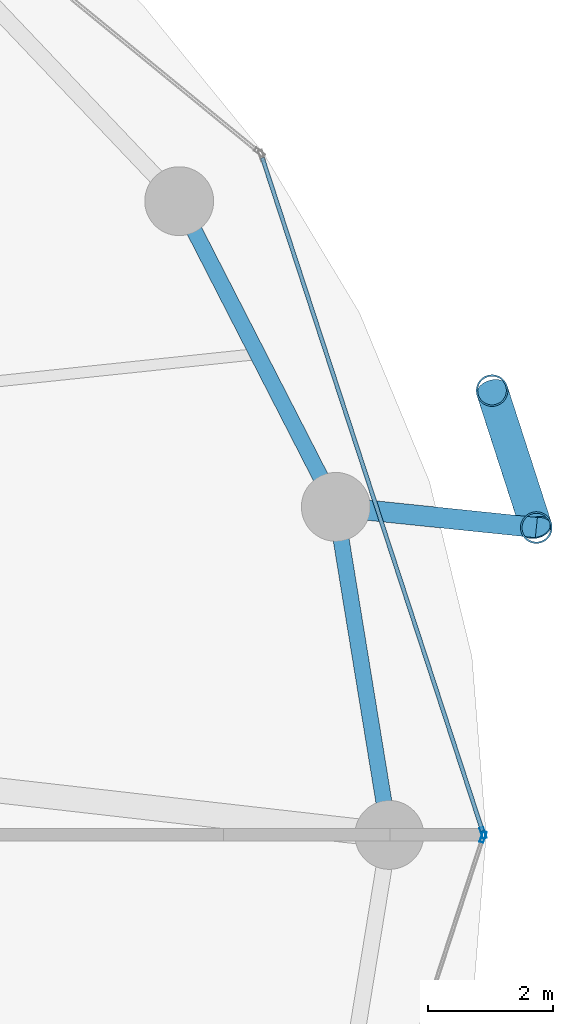
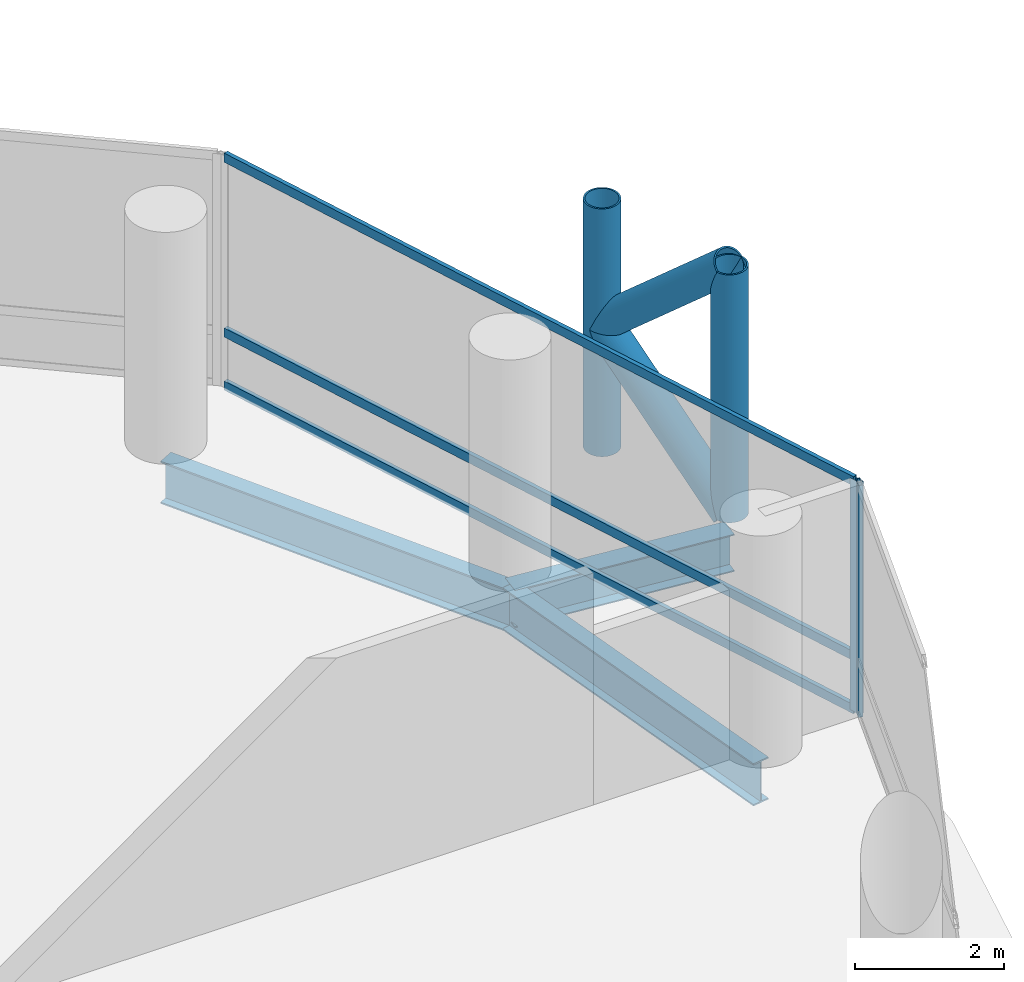
# One storey, part 12 of 24: 9 members, 3 beams, 2 elements without a shape of their own.
"""IFC4 building model written with IfcOpenShell, lengths in metres."""

from ifc_helpers import new_model, si_unit, direction, frame, origin, origin_2d, place, context, subcontext, project, spatial, hollow_rectangle, hollow_circle, i_section, extrude, material, layer, layer_set, material_profile, profile_set, type_object, element, aggregate, save


model = new_model("IFC4")

# Units and contexts
model_context = context("Model", 3, precision=1e-05, world=origin(), true_north=direction((0.0, 1.0)))
body_context = subcontext(model_context, "Body", "Model", "MODEL_VIEW")
ifc_project = project(units=[si_unit("LENGTHUNIT", "METRE"), si_unit("AREAUNIT", "SQUARE_METRE"), si_unit("VOLUMEUNIT", "CUBIC_METRE"), si_unit("PLANEANGLEUNIT", "RADIAN"), si_unit("MASSUNIT", "GRAM", prefix="KILO")], contexts=[model_context])

# Site, building, storey
site_placement = place(None, origin())
site = spatial("IfcSite", under=ifc_project, at=site_placement, CompositionType="ELEMENT")
building_placement = place(site_placement, origin())
building = spatial("IfcBuilding", under=site, at=building_placement, Name="Nuhasar Tower", CompositionType="ELEMENT")
storey_placement = place(building_placement, frame((0.0, 0.0, 29.10009765625)))
storey = spatial("IfcBuildingStorey", under=building, at=storey_placement, Name="L06", CompositionType="ELEMENT", Elevation=29.10009765625)

# Beams
ifc_material_1 = material(Name="Steel S355", Category="steel")
ifc_material_profile_1 = material_profile(ifc_material_1, i_section(OverallWidth=0.256103515625, OverallDepth=0.693115234375, WebThickness=0.014404296875, FlangeThickness=0.023681640625, at=origin_2d()), Name="W27X114")
ifc_profile_set_1 = profile_set([ifc_material_profile_1], Name="Steel S355")
beam_type_1 = type_object("IfcBeamType", Name="BM-RING-W27X114", PredefinedType="SPANDREL", material=ifc_profile_set_1)
beam_1_placement = place(storey_placement, frame((64.050048828125, 26.800048828125, -0.606201171875), z_axis=(-0.160826635486, 0.986982671235, 0.0), x_axis=(-0.986982671235, -0.160826635486, 0.0)))
element("IfcBeam", 1, at=beam_1_placement, inside=storey, type_object=beam_type_1, Name="L06 Perimeter Ring Spandrel 01", PredefinedType="SPANDREL", context=body_context, shape_type="SweptSolid", body=[
    extrude(i_section(OverallWidth=0.256103515625, OverallDepth=0.693115234375, WebThickness=0.014404296875, FlangeThickness=0.023681640625, at=origin_2d()), origin(), (0.0, 0.0, 1.0), 5.31005859375),
])
beam_2_placement = place(storey_placement, frame((63.196044921875, 32.041015625, -0.606201171875), z_axis=(-0.455930023905, 0.890015625314, 0.0), x_axis=(-0.890015625314, -0.455930023905, 0.0)))
element("IfcBeam", 2, at=beam_2_placement, inside=storey, type_object=beam_type_1, Name="L06 Perimeter Ring Spandrel 02", PredefinedType="SPANDREL", context=body_context, shape_type="SweptSolid", body=[
    extrude(i_section(OverallWidth=0.256103515625, OverallDepth=0.693115234375, WebThickness=0.014404296875, FlangeThickness=0.023681640625, at=origin_2d()), origin(), (0.0, 0.0, 1.0), 5.487548828125),
])
ifc_material_profile_2 = material_profile(ifc_material_1, i_section(OverallWidth=0.323974609375, OverallDepth=0.611083984375, WebThickness=0.0126953125, FlangeThickness=0.01904296875, at=origin_2d()), Name="W24X104")
ifc_profile_set_2 = profile_set([ifc_material_profile_2], Name="Steel S355")
beam_type_2 = type_object("IfcBeamType", Name="BM-TIE-W24X104", PredefinedType="BEAM", material=ifc_profile_set_2)
beam_3_placement = place(storey_placement, frame((63.196044921875, 32.041015625, -0.565185546875), z_axis=(0.994703825606, -0.102782777377, 0.0), x_axis=(0.102782777377, 0.994703825606, 0.0)))
element("IfcBeam", 3, at=beam_3_placement, inside=storey, type_object=beam_type_2, Name="L06 Exoskeleton Node Tie Beam 01", PredefinedType="BEAM", context=body_context, shape_type="SweptSolid", body=[
    extrude(i_section(OverallWidth=0.323974609375, OverallDepth=0.611083984375, WebThickness=0.0126953125, FlangeThickness=0.01904296875, at=origin_2d()), origin(), (0.0, 0.0, 1.0), 3.220947265625),
])

# Curtain wall, member
ifc_material_2 = material(Name="Aluminium 6063-T6", Category="aluminium")
ifc_layer = layer(ifc_material_2, 0.199951171875)
ifc_layer_set = layer_set([ifc_layer], Name="Aluminium 6063-T6")
curtain_wall_type = type_object("IfcCurtainWallType", Name="CW-Z1-OFF", PredefinedType="NOTDEFINED", material=ifc_layer_set)
curtain_wall_1_placement = place(storey_placement, origin())
curtain_wall_1 = element("IfcCurtainWall", 4, at=curtain_wall_1_placement, inside=storey, type_object=curtain_wall_type, Name="L06 Unitised Curtain Wall 01", PredefinedType="NOTDEFINED")
ifc_material_profile_3 = material_profile(ifc_material_2, hollow_rectangle(XDim=0.06494140625, YDim=0.179931640625, WallThickness=0.0048828125, at=origin_2d()), Name="CWM-2")
ifc_profile_set_3 = profile_set([ifc_material_profile_3], Name="Aluminium 6063-T6")
member_type_1 = type_object("IfcMemberType", Name="CW-MUL-S2", PredefinedType="MULLION", material=ifc_profile_set_3)
member_1_placement = place(storey_placement, frame((65.5498046875, 26.830810546875, 0.0), z_axis=(0.0, 0.0, 1.0), x_axis=(-0.950467534571, -0.310823849997, 0.0)))
member_1 = element("IfcMember", 5, at=member_1_placement, type_object=member_type_1, Name="CW-Z1 mullion 1", PredefinedType="MULLION", context=body_context, shape_type="SweptSolid", body=[
    extrude(hollow_rectangle(XDim=0.06494140625, YDim=0.179931640625, WallThickness=0.0048828125, at=origin_2d()), origin(), (0.0, 0.0, 1.0), 3.789794921875),
])

curtain_wall_2_placement = place(storey_placement, origin())
curtain_wall_2 = element("IfcCurtainWall", 6, at=curtain_wall_2_placement, inside=storey, type_object=curtain_wall_type, Name="L06 Unitised Curtain Wall 12", PredefinedType="NOTDEFINED")
member_2_placement = place(storey_placement, frame((65.5498046875, 26.76904296875, 0.0), z_axis=(0.0, 0.0, 1.0), x_axis=(-0.950467534571, 0.310823849997, 0.0)))
member_2 = element("IfcMember", 7, at=member_2_placement, type_object=member_type_1, Name="CW-Z1 mullion 2", PredefinedType="MULLION", context=body_context, shape_type="SweptSolid", body=[
    extrude(hollow_rectangle(XDim=0.06494140625, YDim=0.179931640625, WallThickness=0.0048828125, at=origin_2d()), origin(), (0.0, 0.0, 1.0), 3.789794921875),
])
aggregate(curtain_wall_2, [member_2])

# Member
ifc_material_profile_4 = material_profile(ifc_material_2, hollow_rectangle(XDim=0.06494140625, YDim=0.14990234375, WallThickness=0.00439453125, at=origin_2d()), Name="CWT-2")
ifc_profile_set_4 = profile_set([ifc_material_profile_4], Name="Aluminium 6063-T6")
member_type_2 = type_object("IfcMemberType", Name="CW-TRN-S2", PredefinedType="USERDEFINED", material=ifc_profile_set_4)
member_3_placement = place(storey_placement, frame((65.539794921875, 26.86181640625, 0.032470703125), z_axis=(-0.31082506089, 0.950467138581, 0.0), x_axis=(-0.950467138581, -0.31082506089, 0.0)))
member_3 = element("IfcMember", 8, at=member_3_placement, type_object=member_type_2, Name="CW-Z1 transom 1.1", ObjectType="TRANSOM", PredefinedType="USERDEFINED", context=body_context, shape_type="SweptSolid", body=[
    extrude(hollow_rectangle(XDim=0.06494140625, YDim=0.14990234375, WallThickness=0.00439453125, at=origin_2d()), origin(), (0.0, 0.0, 1.0), 11.31689453125),
])

member_4_placement = place(storey_placement, frame((65.539794921875, 26.86181640625, 0.89990234375), z_axis=(-0.31082506089, 0.950467138581, 0.0), x_axis=(-0.950467138581, -0.31082506089, 0.0)))
member_4 = element("IfcMember", 9, at=member_4_placement, type_object=member_type_2, Name="CW-Z1 transom 1.2", ObjectType="TRANSOM", PredefinedType="USERDEFINED", context=body_context, shape_type="SweptSolid", body=[
    extrude(hollow_rectangle(XDim=0.06494140625, YDim=0.14990234375, WallThickness=0.00439453125, at=origin_2d()), origin(), (0.0, 0.0, 1.0), 11.31689453125),
])

member_5_placement = place(storey_placement, frame((65.539794921875, 26.86181640625, 3.75732421875), z_axis=(-0.31082506089, 0.950467138581, 0.0), x_axis=(-0.950467138581, -0.31082506089, 0.0)))
member_5 = element("IfcMember", 10, at=member_5_placement, type_object=member_type_2, Name="CW-Z1 transom 1.3", ObjectType="TRANSOM", PredefinedType="USERDEFINED", context=body_context, shape_type="SweptSolid", body=[
    extrude(hollow_rectangle(XDim=0.06494140625, YDim=0.14990234375, WallThickness=0.00439453125, at=origin_2d()), origin(), (0.0, 0.0, 1.0), 11.31689453125),
])

aggregate(curtain_wall_1, [member_1, member_3, member_4, member_5])

# Members
ifc_material_3 = material(Name="Steel S460", Category="steel")
ifc_material_profile_5 = material_profile(ifc_material_3, hollow_circle(Radius=0.25390625, WallThickness=0.025390625, at=origin_2d()), Name="HSS508X25.4")
ifc_profile_set_5 = profile_set([ifc_material_profile_5], Name="Steel S460")
member_type_3 = type_object("IfcMemberType", Name="EXO-BRONZE-508", PredefinedType="BRACE", material=ifc_profile_set_5)
for number, where, z_axis, x_axis, name in (
    (11, (66.39990234375, 31.7099609375, 0.0), (0.0, 0.0, 1.0), (1.0, 0.0, 0.0), "L06 Exoskeleton Chord Column EC-01A"),
    (12, (65.69189453125, 33.89892578125, 0.0), (0.0, 0.0, 1.0), (1.0, 0.0, 0.0), "L06 Exoskeleton Chord Column EC-01B"),
):
    element("IfcMember", number, at=place(storey_placement, frame(where, z_axis=z_axis, x_axis=x_axis)), inside=storey, type_object=member_type_3, Name=name, PredefinedType="BRACE", context=body_context, shape_type="SweptSolid", body=[
        extrude(hollow_circle(Radius=0.25390625, WallThickness=0.025390625, at=origin_2d()), origin(), (0.0, 0.0, 1.0), 4.0498046875),
    ])
for number, where, z_axis, x_axis, name in (
    (13, (66.39990234375, 31.7099609375, 0.0), (-0.231011836313, 0.714224870475, 0.660693851854), (-0.951468282519, -0.307746823478, 0.0), "L06 Bronze Diagrid Brace W1-01"),
    (14, (65.69189453125, 33.89892578125, 2.02490234375), (0.231011836313, -0.714224870475, 0.660693851854), (0.951468282519, 0.307746823478, 0.0), "L06 Bronze Diagrid Brace W2-01"),
):
    element("IfcMember", number, at=place(storey_placement, frame(where, z_axis=z_axis, x_axis=x_axis)), inside=storey, type_object=member_type_3, Name=name, PredefinedType="BRACE", context=body_context, shape_type="SweptSolid", body=[
        extrude(hollow_circle(Radius=0.25390625, WallThickness=0.025390625, at=origin_2d()), origin(), (0.0, 0.0, 1.0), 3.064697265625),
    ])

save(model, "model.ifc")
